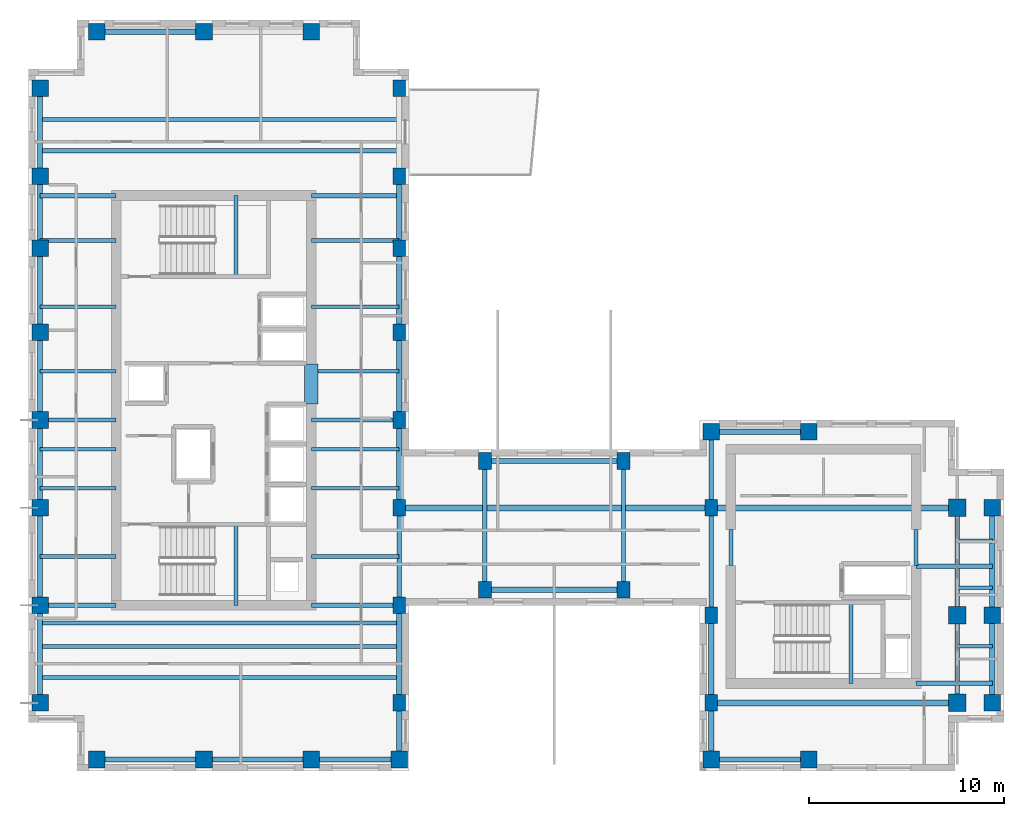
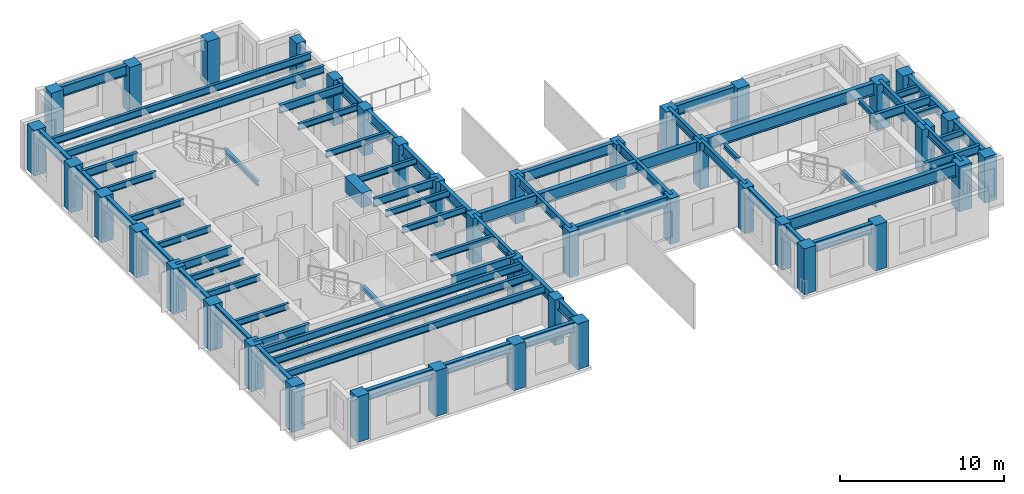
# One storey, part 1 of 10: 69 beams, 40 columns.
"""IFC4 building model written with IfcOpenShell, lengths in metres."""

from ifc_helpers import new_model, si_unit, direction, frame, origin, origin_2d, place, context, subcontext, project, spatial, rectangle, i_section, extrude, source, transform, mapped, material, material_profile, profile_set, type_object, element, save


model = new_model("IFC4")

# Units and contexts
model_context = context("Model", 3, precision=1e-05, world=origin(), true_north=direction((0.0, 1.0)))
body_context = subcontext(model_context, "Body", "Model", "MODEL_VIEW")
ifc_project = project(units=[si_unit("LENGTHUNIT", "METRE"), si_unit("AREAUNIT", "SQUARE_METRE"), si_unit("VOLUMEUNIT", "CUBIC_METRE"), si_unit("PLANEANGLEUNIT", "RADIAN"), si_unit("MASSUNIT", "GRAM", prefix="KILO")], contexts=[model_context])

# Site, building, storey
site_placement = place(None, origin())
site = spatial("IfcSite", under=ifc_project, at=site_placement, CompositionType="ELEMENT")
building_placement = place(site_placement, origin())
building = spatial("IfcBuilding", under=site, at=building_placement, Name="Kharzan Plaza Tower", CompositionType="ELEMENT")
storey_placement = place(building_placement, frame((0.0, 0.0, 237.60009765625)))
storey = spatial("IfcBuildingStorey", under=building, at=storey_placement, Name="L64", CompositionType="ELEMENT", Elevation=237.60009765625)

# Columns
ifc_material_1 = material(Name="Concrete C50/60", Category="concrete")
ifc_material_profile_1 = material_profile(ifc_material_1, rectangle(XDim=0.89990234375, YDim=0.89990234375, at=origin_2d()), Name="RC-IC900x900")
ifc_profile_set_1 = profile_set([ifc_material_profile_1], Name="Concrete C50/60")
column_type_1 = type_object("IfcColumnType", Name="COL-IC900", PredefinedType="COLUMN", material=ifc_profile_set_1)
shared_shape_1 = source(origin(), body_context, "Body", "SweptSolid", [
    extrude(rectangle(XDim=0.89990234375, YDim=0.89990234375, at=origin_2d()), origin(), (0.0, 0.0, 1.0), 3.39990234375),
])
for number, where, z_axis, x_axis, name in (
    (1, (47.60009765625, 13.5, 0.0), (0.0, 0.0, 1.0), (1.0, 0.0, 0.0), "L64 Structural Column TCBI-135"),
    (2, (47.60009765625, 3.5, 0.0), (0.0, 0.0, 1.0), (1.0, 0.0, 0.0), "L64 Structural Column TCBI-35"),
    (3, (47.60009765625, 8.0, 0.0), (0.0, 0.0, 1.0), (1.0, 0.0, 0.0), "L64 Structural Column TCBI-80"),
):
    element("IfcColumn", number, at=place(storey_placement, frame(where, z_axis=z_axis, x_axis=x_axis)), inside=storey, type_object=column_type_1, Name=name, PredefinedType="COLUMN", context=body_context, shape_type="MappedRepresentation", body=[
        mapped(shared_shape_1, transform((0.0, 0.0, 0.0), x_axis=(1.0, 0.0, 0.0), y_axis=(0.0, 1.0, 0.0), z_axis=(0.0, 0.0, 1.0))),
    ])
ifc_material_profile_2 = material_profile(ifc_material_1, rectangle(XDim=0.64990234375, YDim=0.85009765625, at=origin_2d()), Name="RC-SC850x650")
ifc_profile_set_2 = profile_set([ifc_material_profile_2], Name="Concrete C50/60")
column_type_2 = type_object("IfcColumnType", Name="COL-SC850", PredefinedType="COLUMN", material=ifc_profile_set_2)
shared_shape_2 = source(origin(), body_context, "Body", "SweptSolid", [
    extrude(rectangle(XDim=0.64990234375, YDim=0.85009765625, at=origin_2d()), origin(), (0.0, 0.0, 1.0), 3.39990234375),
])
for number, where, z_axis, x_axis, name in (
    (4, (19.0, 13.5, 0.0), (0.0, 0.0, 1.0), (1.0, 0.0, 0.0), "L64 Structural Column TCA-135"),
    (5, (19.0, 18.0, 0.0), (0.0, 0.0, 1.0), (1.0, 0.0, 0.0), "L64 Structural Column TCA-180"),
    (6, (19.0, 22.5, 0.0), (0.0, 0.0, 1.0), (1.0, 0.0, 0.0), "L64 Structural Column TCA-225"),
    (7, (19.0, 26.800048828125, 0.0), (0.0, 0.0, 1.0), (1.0, 0.0, 0.0), "L64 Structural Column TCA-268"),
    (8, (19.0, 30.5, 0.0), (0.0, 0.0, 1.0), (1.0, 0.0, 0.0), "L64 Structural Column TCA-305"),
    (9, (19.0, 3.5, 0.0), (0.0, 0.0, 1.0), (1.0, 0.0, 0.0), "L64 Structural Column TCA-35"),
    (10, (19.0, 35.0, 0.0), (0.0, 0.0, 1.0), (1.0, 0.0, 0.0), "L64 Structural Column TCA-350"),
    (11, (19.0, 8.5, 0.0), (0.0, 0.0, 1.0), (1.0, 0.0, 0.0), "L64 Structural Column TCA-85"),
    (12, (35.0, 13.5, 0.0), (0.0, 0.0, 1.0), (1.0, 0.0, 0.0), "L64 Structural Column TCBS-135"),
    (13, (35.0, 3.5, 0.0), (0.0, 0.0, 1.0), (1.0, 0.0, 0.0), "L64 Structural Column TCBS-35"),
    (14, (35.0, 8.0, 0.0), (0.0, 0.0, 1.0), (1.0, 0.0, 0.0), "L64 Structural Column TCBS-80"),
    (15, (23.39990234375, 15.89990234375, 0.0), (0.0, 0.0, 1.0), (1.0, 0.0, 0.0), "L64 Structural Column TCSP-234-159"),
    (16, (23.39990234375, 9.300048828125, 0.0), (0.0, 0.0, 1.0), (1.0, 0.0, 0.0), "L64 Structural Column TCSP-234-93"),
    (17, (30.5, 15.89990234375, 0.0), (0.0, 0.0, 1.0), (1.0, 0.0, 0.0), "L64 Structural Column TCSP-305-159"),
    (18, (30.5, 9.300048828125, 0.0), (0.0, 0.0, 1.0), (1.0, 0.0, 0.0), "L64 Structural Column TCSP-305-93"),
):
    element("IfcColumn", number, at=place(storey_placement, frame(where, z_axis=z_axis, x_axis=x_axis)), inside=storey, type_object=column_type_2, Name=name, PredefinedType="COLUMN", context=body_context, shape_type="MappedRepresentation", body=[
        mapped(shared_shape_2, transform((0.0, 0.0, 0.0), x_axis=(1.0, 0.0, 0.0), y_axis=(0.0, 1.0, 0.0), z_axis=(0.0, 0.0, 1.0))),
    ])
ifc_material_profile_3 = material_profile(ifc_material_1, rectangle(XDim=0.85009765625, YDim=0.85009765625, at=origin_2d()), Name="RC-TC850x850")
ifc_profile_set_3 = profile_set([ifc_material_profile_3], Name="Concrete C50/60")
column_type_3 = type_object("IfcColumnType", Name="COL-TC850", PredefinedType="COLUMN", material=ifc_profile_set_3)
shared_shape_3 = source(origin(), body_context, "Body", "SweptSolid", [
    extrude(rectangle(XDim=0.85009765625, YDim=0.85009765625, at=origin_2d()), origin(), (0.0, 0.0, 1.0), 3.39990234375),
])
for number, where, z_axis, x_axis, name in (
    (19, (35.0, 17.39990234375, 0.0), (0.0, 0.0, 1.0), (1.0, 0.0, 0.0), "L64 Structural Column TCBN-350-174"),
    (20, (40.0, 17.39990234375, 0.0), (0.0, 0.0, 1.0), (1.0, 0.0, 0.0), "L64 Structural Column TCBN-400-174"),
    (21, (49.39990234375, 13.5, 0.0), (0.0, 0.0, 1.0), (1.0, 0.0, 0.0), "L64 Structural Column TCE-494-135"),
    (22, (49.39990234375, 3.5, 0.0), (0.0, 0.0, 1.0), (1.0, 0.0, 0.0), "L64 Structural Column TCE-494-35"),
    (23, (49.39990234375, 8.0, 0.0), (0.0, 0.0, 1.0), (1.0, 0.0, 0.0), "L64 Structural Column TCE-494-80"),
    (24, (14.5, 37.89990234375, 0.0), (0.0, 0.0, 1.0), (1.0, 0.0, 0.0), "L64 Structural Column TCN-145-379"),
    (25, (3.5, 37.89990234375, 0.0), (0.0, 0.0, 1.0), (1.0, 0.0, 0.0), "L64 Structural Column TCN-35-379"),
    (26, (9.0, 37.89990234375, 0.0), (0.0, 0.0, 1.0), (1.0, 0.0, 0.0), "L64 Structural Column TCN-90-379"),
    (27, (14.5, 0.60009765625, 0.0), (0.0, 0.0, 1.0), (1.0, 0.0, 0.0), "L64 Structural Column TCS-145"),
    (28, (19.0, 0.60009765625, 0.0), (0.0, 0.0, 1.0), (1.0, 0.0, 0.0), "L64 Structural Column TCS-190"),
    (29, (3.5, 0.60009765625, 0.0), (0.0, 0.0, 1.0), (1.0, 0.0, 0.0), "L64 Structural Column TCS-35"),
    (30, (35.0, 0.60009765625, 0.0), (0.0, 0.0, 1.0), (1.0, 0.0, 0.0), "L64 Structural Column TCS-350"),
    (31, (40.0, 0.60009765625, 0.0), (0.0, 0.0, 1.0), (1.0, 0.0, 0.0), "L64 Structural Column TCS-400"),
    (32, (9.0, 0.60009765625, 0.0), (0.0, 0.0, 1.0), (1.0, 0.0, 0.0), "L64 Structural Column TCS-90"),
    (33, (0.60009765625, 13.5, 0.0), (0.0, 0.0, 1.0), (1.0, 0.0, 0.0), "L64 Structural Column TCW-135"),
    (34, (0.60009765625, 18.0, 0.0), (0.0, 0.0, 1.0), (1.0, 0.0, 0.0), "L64 Structural Column TCW-180"),
    (35, (0.60009765625, 22.5, 0.0), (0.0, 0.0, 1.0), (1.0, 0.0, 0.0), "L64 Structural Column TCW-225"),
    (36, (0.60009765625, 26.800048828125, 0.0), (0.0, 0.0, 1.0), (1.0, 0.0, 0.0), "L64 Structural Column TCW-268"),
    (37, (0.60009765625, 30.5, 0.0), (0.0, 0.0, 1.0), (1.0, 0.0, 0.0), "L64 Structural Column TCW-305"),
    (38, (0.60009765625, 3.5, 0.0), (0.0, 0.0, 1.0), (1.0, 0.0, 0.0), "L64 Structural Column TCW-35"),
    (39, (0.60009765625, 35.0, 0.0), (0.0, 0.0, 1.0), (1.0, 0.0, 0.0), "L64 Structural Column TCW-350"),
    (40, (0.60009765625, 8.5, 0.0), (0.0, 0.0, 1.0), (1.0, 0.0, 0.0), "L64 Structural Column TCW-85"),
):
    element("IfcColumn", number, at=place(storey_placement, frame(where, z_axis=z_axis, x_axis=x_axis)), inside=storey, type_object=column_type_3, Name=name, PredefinedType="COLUMN", context=body_context, shape_type="MappedRepresentation", body=[
        mapped(shared_shape_3, transform((0.0, 0.0, 0.0), x_axis=(1.0, 0.0, 0.0), y_axis=(0.0, 1.0, 0.0), z_axis=(0.0, 0.0, 1.0))),
    ])

# Beams
ifc_material_2 = material(Name="Concrete C60/75", Category="concrete")
ifc_material_profile_4 = material_profile(ifc_material_2, rectangle(XDim=0.699951171875, YDim=1.10009765625, at=origin_2d()), Name="RC-CB1100x700")
ifc_profile_set_4 = profile_set([ifc_material_profile_4], Name="Concrete C60/75")
beam_type_1 = type_object("IfcBeamType", Name="BM-RCCB1100", PredefinedType="LINTEL", material=ifc_profile_set_4)
shared_shape_4 = source(origin(), body_context, "Body", "SweptSolid", [
    extrude(rectangle(XDim=0.699951171875, YDim=1.10009765625, at=origin_2d()), origin(), (0.0, 0.0, 1.0), 2.059814453125),
])
beam_1_placement = place(storey_placement, frame((14.5, 18.820068359375, 2.849853515625), z_axis=(0.0, 1.0, 0.0), x_axis=(-1.0, 0.0, 0.0)))
element("IfcBeam", 41, at=beam_1_placement, inside=storey, type_object=beam_type_1, Name="L64 CORE-A RC coupling beam CB1", PredefinedType="LINTEL", context=body_context, shape_type="MappedRepresentation", body=[
    mapped(shared_shape_4, transform((0.0, 0.0, 0.0), x_axis=(1.0, 0.0, 0.0), y_axis=(0.0, 1.0, 0.0), z_axis=(0.0, 0.0, 1.0))),
])
ifc_material_3 = material(Name="Steel S355", Category="steel")
ifc_material_profile_5 = material_profile(ifc_material_3, i_section(OverallWidth=0.205078125, OverallDepth=0.35400390625, WebThickness=0.009521484375, FlangeThickness=0.016845703125, at=origin_2d()), Name="W360x79")
ifc_profile_set_5 = profile_set([ifc_material_profile_5], Name="Steel S355")
beam_type_2 = type_object("IfcBeamType", Name="BM-LNT360", PredefinedType="LINTEL", material=ifc_profile_set_5)
shared_shape_5 = source(origin(), body_context, "Body", "SweptSolid", [
    extrude(i_section(OverallWidth=0.205078125, OverallDepth=0.35400390625, WebThickness=0.009521484375, FlangeThickness=0.016845703125, at=origin_2d()), origin(), (0.0, 0.0, 1.0), 1.849853515625),
])
for number, where, z_axis, x_axis, name in (
    (42, (45.5, 10.550048828125, 3.222900390625), (0.0, 1.0, 0.0), (-1.0, 0.0, 0.0), "L64 CORE-B coupling lintel LN1-WE"),
    (43, (36.0, 10.550048828125, 3.222900390625), (0.0, 1.0, 0.0), (-1.0, 0.0, 0.0), "L64 CORE-B coupling lintel LN1-WW"),
):
    element("IfcBeam", number, at=place(storey_placement, frame(where, z_axis=z_axis, x_axis=x_axis)), inside=storey, type_object=beam_type_2, Name=name, PredefinedType="LINTEL", context=body_context, shape_type="MappedRepresentation", body=[
        mapped(shared_shape_5, transform((0.0, 0.0, 0.0), x_axis=(1.0, 0.0, 0.0), y_axis=(0.0, 1.0, 0.0), z_axis=(0.0, 0.0, 1.0))),
    ])
shared_shape_6 = source(origin(), body_context, "Body", "SweptSolid", [
    extrude(i_section(OverallWidth=0.205078125, OverallDepth=0.35400390625, WebThickness=0.009521484375, FlangeThickness=0.016845703125, at=origin_2d()), origin(), (0.0, 0.0, 1.0), 4.155029296875),
])
for number, where, z_axis, x_axis, name in (
    (44, (10.64990234375, 8.5, 1.4228515625), (0.0, 1.0, 0.0), (-1.0, 0.0, 0.0), "L64 Stair ST-1 Half-Landing Beam"),
    (45, (10.64990234375, 25.344970703125, 1.4228515625), (0.0, 1.0, 0.0), (-1.0, 0.0, 0.0), "L64 Stair ST-2 Half-Landing Beam"),
    (46, (42.14990234375, 4.5, 1.4228515625), (0.0, 1.0, 0.0), (-1.0, 0.0, 0.0), "L64 Stair ST-3 Half-Landing Beam"),
):
    element("IfcBeam", number, at=place(storey_placement, frame(where, z_axis=z_axis, x_axis=x_axis)), inside=storey, type_object=beam_type_2, Name=name, PredefinedType="LINTEL", context=body_context, shape_type="MappedRepresentation", body=[
        mapped(shared_shape_6, transform((0.0, 0.0, 0.0), x_axis=(1.0, 0.0, 0.0), y_axis=(0.0, 1.0, 0.0), z_axis=(0.0, 0.0, 1.0))),
    ])
ifc_material_profile_6 = material_profile(ifc_material_3, i_section(OverallWidth=0.304931640625, OverallDepth=0.9189453125, WebThickness=0.017333984375, FlangeThickness=0.02783203125, at=origin_2d()), Name="W920x253")
ifc_profile_set_6 = profile_set([ifc_material_profile_6], Name="Steel S355")
beam_type_3 = type_object("IfcBeamType", Name="BM-FG920B", PredefinedType="BEAM", material=ifc_profile_set_6)
shared_shape_7 = source(origin(), body_context, "Body", "SweptSolid", [
    extrude(i_section(OverallWidth=0.304931640625, OverallDepth=0.9189453125, WebThickness=0.017333984375, FlangeThickness=0.02783203125, at=origin_2d()), origin(), (0.0, 0.0, 1.0), 12.60009765625),
])
for number, where, z_axis, x_axis, name in (
    (47, (35.0, 3.5, 2.9404296875), (1.0, 0.0, 0.0), (0.0, 1.0, 0.0), "L64 Primary Floor Girder"),
    (48, (35.0, 13.5, 2.9404296875), (1.0, 0.0, 0.0), (0.0, 1.0, 0.0), "L64 Primary Floor Girder"),
):
    element("IfcBeam", number, at=place(storey_placement, frame(where, z_axis=z_axis, x_axis=x_axis)), inside=storey, type_object=beam_type_3, Name=name, PredefinedType="BEAM", context=body_context, shape_type="MappedRepresentation", body=[
        mapped(shared_shape_7, transform((0.0, 0.0, 0.0), x_axis=(1.0, 0.0, 0.0), y_axis=(0.0, 1.0, 0.0), z_axis=(0.0, 0.0, 1.0))),
    ])
shared_shape_8 = source(origin(), body_context, "Body", "SweptSolid", [
    extrude(i_section(OverallWidth=0.304931640625, OverallDepth=0.9189453125, WebThickness=0.017333984375, FlangeThickness=0.02783203125, at=origin_2d()), origin(), (0.0, 0.0, 1.0), 16.0),
])
beam_2_placement = place(storey_placement, frame((19.0, 13.5, 2.9404296875), z_axis=(1.0, 0.0, 0.0), x_axis=(0.0, 1.0, 0.0)))
element("IfcBeam", 49, at=beam_2_placement, inside=storey, type_object=beam_type_3, Name="L64 Primary Floor Girder", PredefinedType="BEAM", context=body_context, shape_type="MappedRepresentation", body=[
    mapped(shared_shape_8, transform((0.0, 0.0, 0.0), x_axis=(1.0, 0.0, 0.0), y_axis=(0.0, 1.0, 0.0), z_axis=(0.0, 0.0, 1.0))),
])
ifc_material_profile_7 = material_profile(ifc_material_3, i_section(OverallWidth=0.2099609375, OverallDepth=0.537109375, WebThickness=0.010986328125, FlangeThickness=0.017333984375, at=origin_2d()), Name="W530x101")
ifc_profile_set_7 = profile_set([ifc_material_profile_7], Name="Steel S355")
beam_type_4 = type_object("IfcBeamType", Name="BM-JST530B", PredefinedType="JOIST", material=ifc_profile_set_7)
shared_shape_9 = source(origin(), body_context, "Body", "SweptSolid", [
    extrude(i_section(OverallWidth=0.2099609375, OverallDepth=0.537109375, WebThickness=0.010986328125, FlangeThickness=0.017333984375, at=origin_2d()), origin(), (0.0, 0.0, 1.0), 18.39990234375),
])
for number, where, z_axis, x_axis, name in (
    (50, (0.60009765625, 4.800048828125, 3.13134765625), (1.0, 0.0, 0.0), (0.0, 1.0, 0.0), "L64 Wing A Composite Joist 01"),
    (51, (0.60009765625, 6.39990234375, 3.13134765625), (1.0, 0.0, 0.0), (0.0, 1.0, 0.0), "L64 Wing A Composite Joist 02"),
    (52, (0.60009765625, 7.60009765625, 3.13134765625), (1.0, 0.0, 0.0), (0.0, 1.0, 0.0), "L64 Wing A Composite Joist 03"),
    (53, (0.60009765625, 31.800048828125, 3.13134765625), (1.0, 0.0, 0.0), (0.0, 1.0, 0.0), "L64 Wing A Composite Joist 04"),
    (54, (0.60009765625, 33.39990234375, 3.13134765625), (1.0, 0.0, 0.0), (0.0, 1.0, 0.0), "L64 Wing A Composite Joist 05"),
):
    element("IfcBeam", number, at=place(storey_placement, frame(where, z_axis=z_axis, x_axis=x_axis)), inside=storey, type_object=beam_type_4, Name=name, PredefinedType="JOIST", context=body_context, shape_type="MappedRepresentation", body=[
        mapped(shared_shape_9, transform((0.0, 0.0, 0.0), x_axis=(1.0, 0.0, 0.0), y_axis=(0.0, 1.0, 0.0), z_axis=(0.0, 0.0, 1.0))),
    ])
ifc_material_profile_8 = material_profile(ifc_material_3, i_section(OverallWidth=0.194091796875, OverallDepth=0.468994140625, WebThickness=0.011474609375, FlangeThickness=0.0205078125, at=origin_2d()), Name="W460x106")
ifc_profile_set_8 = profile_set([ifc_material_profile_8], Name="Steel S355")
beam_type_5 = type_object("IfcBeamType", Name="BM-JST460", PredefinedType="JOIST", material=ifc_profile_set_8)
shared_shape_10 = source(origin(), body_context, "Body", "SweptSolid", [
    extrude(i_section(OverallWidth=0.194091796875, OverallDepth=0.468994140625, WebThickness=0.011474609375, FlangeThickness=0.0205078125, at=origin_2d()), origin(), (0.0, 0.0, 1.0), 4.5),
])
for number, where, z_axis, x_axis, name in (
    (55, (14.5, 11.0, 3.165283203125), (1.0, 0.0, 0.0), (0.0, 1.0, 0.0), "L64 Wing A East Infill Joist 1"),
    (56, (14.5, 14.5, 3.165283203125), (1.0, 0.0, 0.0), (0.0, 1.0, 0.0), "L64 Wing A East Infill Joist 2"),
    (57, (14.5, 16.5, 3.165283203125), (1.0, 0.0, 0.0), (0.0, 1.0, 0.0), "L64 Wing A East Infill Joist 3"),
    (58, (14.5, 20.5, 3.165283203125), (1.0, 0.0, 0.0), (0.0, 1.0, 0.0), "L64 Wing A East Infill Joist 4"),
    (59, (14.5, 23.800048828125, 3.165283203125), (1.0, 0.0, 0.0), (0.0, 1.0, 0.0), "L64 Wing A East Infill Joist 5"),
    (60, (14.5, 27.199951171875, 3.165283203125), (1.0, 0.0, 0.0), (0.0, 1.0, 0.0), "L64 Wing A East Infill Joist 6"),
):
    element("IfcBeam", number, at=place(storey_placement, frame(where, z_axis=z_axis, x_axis=x_axis)), inside=storey, type_object=beam_type_5, Name=name, PredefinedType="JOIST", context=body_context, shape_type="MappedRepresentation", body=[
        mapped(shared_shape_10, transform((0.0, 0.0, 0.0), x_axis=(1.0, 0.0, 0.0), y_axis=(0.0, 1.0, 0.0), z_axis=(0.0, 0.0, 1.0))),
    ])
shared_shape_11 = source(origin(), body_context, "Body", "SweptSolid", [
    extrude(i_section(OverallWidth=0.194091796875, OverallDepth=0.468994140625, WebThickness=0.011474609375, FlangeThickness=0.0205078125, at=origin_2d()), origin(), (0.0, 0.0, 1.0), 3.89990234375),
])
for number, where, z_axis, x_axis, name in (
    (61, (0.60009765625, 11.0, 3.165283203125), (1.0, 0.0, 0.0), (0.0, 1.0, 0.0), "L64 Wing A West Infill Joist 1"),
    (62, (0.60009765625, 14.5, 3.165283203125), (1.0, 0.0, 0.0), (0.0, 1.0, 0.0), "L64 Wing A West Infill Joist 2"),
    (63, (0.60009765625, 16.5, 3.165283203125), (1.0, 0.0, 0.0), (0.0, 1.0, 0.0), "L64 Wing A West Infill Joist 3"),
    (64, (0.60009765625, 20.5, 3.165283203125), (1.0, 0.0, 0.0), (0.0, 1.0, 0.0), "L64 Wing A West Infill Joist 4"),
    (65, (0.60009765625, 23.800048828125, 3.165283203125), (1.0, 0.0, 0.0), (0.0, 1.0, 0.0), "L64 Wing A West Infill Joist 5"),
    (66, (0.60009765625, 27.199951171875, 3.165283203125), (1.0, 0.0, 0.0), (0.0, 1.0, 0.0), "L64 Wing A West Infill Joist 6"),
):
    element("IfcBeam", number, at=place(storey_placement, frame(where, z_axis=z_axis, x_axis=x_axis)), inside=storey, type_object=beam_type_5, Name=name, PredefinedType="JOIST", context=body_context, shape_type="MappedRepresentation", body=[
        mapped(shared_shape_11, transform((0.0, 0.0, 0.0), x_axis=(1.0, 0.0, 0.0), y_axis=(0.0, 1.0, 0.0), z_axis=(0.0, 0.0, 1.0))),
    ])
ifc_material_profile_9 = material_profile(ifc_material_3, i_section(OverallWidth=0.22900390625, OverallDepth=0.612060546875, WebThickness=0.011962890625, FlangeThickness=0.01953125, at=origin_2d()), Name="W610x125")
ifc_profile_set_9 = profile_set([ifc_material_profile_9], Name="Steel S355")
beam_type_6 = type_object("IfcBeamType", Name="BM-FG610B", PredefinedType="BEAM", material=ifc_profile_set_9)
shared_shape_12 = source(origin(), body_context, "Body", "SweptSolid", [
    extrude(i_section(OverallWidth=0.22900390625, OverallDepth=0.612060546875, WebThickness=0.011962890625, FlangeThickness=0.01953125, at=origin_2d()), origin(), (0.0, 0.0, 1.0), 4.5),
])
for number, where, z_axis, x_axis, name in (
    (67, (14.5, 8.5, 3.093994140625), (1.0, 0.0, 0.0), (0.0, 1.0, 0.0), "L64 Core-A East Floor Girder 1"),
    (68, (14.5, 18.0, 3.093994140625), (1.0, 0.0, 0.0), (0.0, 1.0, 0.0), "L64 Core-A East Floor Girder 2"),
    (69, (14.5, 29.5, 3.093994140625), (1.0, 0.0, 0.0), (0.0, 1.0, 0.0), "L64 Core-A East Floor Girder 3"),
    (70, (47.60009765625, 3.5, 3.093994140625), (0.0, 1.0, 0.0), (-1.0, 0.0, 0.0), "L64 Interior Frame Girder"),
):
    element("IfcBeam", number, at=place(storey_placement, frame(where, z_axis=z_axis, x_axis=x_axis)), inside=storey, type_object=beam_type_6, Name=name, PredefinedType="BEAM", context=body_context, shape_type="MappedRepresentation", body=[
        mapped(shared_shape_12, transform((0.0, 0.0, 0.0), x_axis=(1.0, 0.0, 0.0), y_axis=(0.0, 1.0, 0.0), z_axis=(0.0, 0.0, 1.0))),
    ])
shared_shape_13 = source(origin(), body_context, "Body", "SweptSolid", [
    extrude(i_section(OverallWidth=0.22900390625, OverallDepth=0.612060546875, WebThickness=0.011962890625, FlangeThickness=0.01953125, at=origin_2d()), origin(), (0.0, 0.0, 1.0), 3.89990234375),
])
for number, where, z_axis, x_axis, name in (
    (71, (0.60009765625, 8.5, 3.093994140625), (1.0, 0.0, 0.0), (0.0, 1.0, 0.0), "L64 Core-A West Floor Girder 1"),
    (72, (0.60009765625, 18.0, 3.093994140625), (1.0, 0.0, 0.0), (0.0, 1.0, 0.0), "L64 Core-A West Floor Girder 2"),
    (73, (0.60009765625, 29.5, 3.093994140625), (1.0, 0.0, 0.0), (0.0, 1.0, 0.0), "L64 Core-A West Floor Girder 3"),
    (74, (45.5, 4.5, 3.093994140625), (1.0, 0.0, 0.0), (0.0, 1.0, 0.0), "L64 Core-B East Floor Girder 1"),
    (75, (45.5, 10.5, 3.093994140625), (1.0, 0.0, 0.0), (0.0, 1.0, 0.0), "L64 Core-B East Floor Girder 2"),
    (76, (35.0, 13.5, 3.093994140625), (0.0, 1.0, 0.0), (-1.0, 0.0, 0.0), "L64 Interior Frame Girder"),
):
    element("IfcBeam", number, at=place(storey_placement, frame(where, z_axis=z_axis, x_axis=x_axis)), inside=storey, type_object=beam_type_6, Name=name, PredefinedType="BEAM", context=body_context, shape_type="MappedRepresentation", body=[
        mapped(shared_shape_13, transform((0.0, 0.0, 0.0), x_axis=(1.0, 0.0, 0.0), y_axis=(0.0, 1.0, 0.0), z_axis=(0.0, 0.0, 1.0))),
    ])
shared_shape_14 = source(origin(), body_context, "Body", "SweptSolid", [
    extrude(i_section(OverallWidth=0.22900390625, OverallDepth=0.612060546875, WebThickness=0.011962890625, FlangeThickness=0.01953125, at=origin_2d()), origin(), (0.0, 0.0, 1.0), 5.0),
])
beam_3_placement = place(storey_placement, frame((19.0, 8.5, 3.093994140625), z_axis=(0.0, 1.0, 0.0), x_axis=(-1.0, 0.0, 0.0)))
element("IfcBeam", 77, at=beam_3_placement, inside=storey, type_object=beam_type_6, Name="L64 Interior Frame Girder", PredefinedType="BEAM", context=body_context, shape_type="MappedRepresentation", body=[
    mapped(shared_shape_14, transform((0.0, 0.0, 0.0), x_axis=(1.0, 0.0, 0.0), y_axis=(0.0, 1.0, 0.0), z_axis=(0.0, 0.0, 1.0))),
])
shared_shape_15 = source(origin(), body_context, "Body", "SweptSolid", [
    extrude(i_section(OverallWidth=0.22900390625, OverallDepth=0.612060546875, WebThickness=0.011962890625, FlangeThickness=0.01953125, at=origin_2d()), origin(), (0.0, 0.0, 1.0), 6.599853515625),
])
for number, where, z_axis, x_axis, name in (
    (78, (23.39990234375, 9.300048828125, 3.093994140625), (0.0, 1.0, 0.0), (-1.0, 0.0, 0.0), "L64 Interior Frame Girder"),
    (79, (30.5, 9.300048828125, 3.093994140625), (0.0, 1.0, 0.0), (-1.0, 0.0, 0.0), "L64 Interior Frame Girder"),
):
    element("IfcBeam", number, at=place(storey_placement, frame(where, z_axis=z_axis, x_axis=x_axis)), inside=storey, type_object=beam_type_6, Name=name, PredefinedType="BEAM", context=body_context, shape_type="MappedRepresentation", body=[
        mapped(shared_shape_15, transform((0.0, 0.0, 0.0), x_axis=(1.0, 0.0, 0.0), y_axis=(0.0, 1.0, 0.0), z_axis=(0.0, 0.0, 1.0))),
    ])
shared_shape_16 = source(origin(), body_context, "Body", "SweptSolid", [
    extrude(i_section(OverallWidth=0.22900390625, OverallDepth=0.612060546875, WebThickness=0.011962890625, FlangeThickness=0.01953125, at=origin_2d()), origin(), (0.0, 0.0, 1.0), 5.5),
])
for number, where, z_axis, x_axis, name in (
    (80, (35.0, 8.0, 3.093994140625), (0.0, 1.0, 0.0), (-1.0, 0.0, 0.0), "L64 Interior Frame Girder"),
    (81, (47.60009765625, 8.0, 3.093994140625), (0.0, 1.0, 0.0), (-1.0, 0.0, 0.0), "L64 Interior Frame Girder"),
):
    element("IfcBeam", number, at=place(storey_placement, frame(where, z_axis=z_axis, x_axis=x_axis)), inside=storey, type_object=beam_type_6, Name=name, PredefinedType="BEAM", context=body_context, shape_type="MappedRepresentation", body=[
        mapped(shared_shape_16, transform((0.0, 0.0, 0.0), x_axis=(1.0, 0.0, 0.0), y_axis=(0.0, 1.0, 0.0), z_axis=(0.0, 0.0, 1.0))),
    ])
shared_shape_17 = source(origin(), body_context, "Body", "SweptSolid", [
    extrude(i_section(OverallWidth=0.194091796875, OverallDepth=0.468994140625, WebThickness=0.011474609375, FlangeThickness=0.0205078125, at=origin_2d()), origin(), (0.0, 0.0, 1.0), 1.7998046875),
])
for number, where, z_axis, x_axis, name in (
    (82, (47.60009765625, 6.39990234375, 3.165283203125), (1.0, 0.0, 0.0), (0.0, 1.0, 0.0), "L64 Wing B Composite Joist 02"),
    (83, (47.60009765625, 9.39990234375, 3.165283203125), (1.0, 0.0, 0.0), (0.0, 1.0, 0.0), "L64 Wing B Composite Joist 03"),
    (84, (47.60009765625, 11.800048828125, 3.165283203125), (1.0, 0.0, 0.0), (0.0, 1.0, 0.0), "L64 Wing B Composite Joist 04"),
):
    element("IfcBeam", number, at=place(storey_placement, frame(where, z_axis=z_axis, x_axis=x_axis)), inside=storey, type_object=beam_type_5, Name=name, PredefinedType="JOIST", context=body_context, shape_type="MappedRepresentation", body=[
        mapped(shared_shape_17, transform((0.0, 0.0, 0.0), x_axis=(1.0, 0.0, 0.0), y_axis=(0.0, 1.0, 0.0), z_axis=(0.0, 0.0, 1.0))),
    ])
ifc_material_profile_10 = material_profile(ifc_material_3, i_section(OverallWidth=0.26708984375, OverallDepth=0.76611328125, WebThickness=0.014892578125, FlangeThickness=0.023681640625, at=origin_2d()), Name="W760x185")
ifc_profile_set_10 = profile_set([ifc_material_profile_10], Name="Steel S355")
beam_type_7 = type_object("IfcBeamType", Name="BM-SP760B", PredefinedType="SPANDREL", material=ifc_profile_set_10)
shared_shape_18 = source(origin(), body_context, "Body", "SweptSolid", [
    extrude(i_section(OverallWidth=0.26708984375, OverallDepth=0.76611328125, WebThickness=0.014892578125, FlangeThickness=0.023681640625, at=origin_2d()), origin(), (0.0, 0.0, 1.0), 5.0),
])
for number, where, z_axis, x_axis, name in (
    (85, (0.60009765625, 3.5, 3.016845703125), (0.0, 1.0, 0.0), (-1.0, 0.0, 0.0), "L64 Perimeter Tube Spandrel"),
    (86, (0.60009765625, 8.5, 3.016845703125), (0.0, 1.0, 0.0), (-1.0, 0.0, 0.0), "L64 Perimeter Tube Spandrel"),
    (87, (19.0, 3.5, 3.016845703125), (0.0, 1.0, 0.0), (-1.0, 0.0, 0.0), "L64 Perimeter Tube Spandrel"),
    (88, (35.0, 0.60009765625, 3.016845703125), (1.0, 0.0, 0.0), (0.0, 1.0, 0.0), "L64 Perimeter Tube Spandrel"),
    (89, (35.0, 17.39990234375, 3.016845703125), (1.0, 0.0, 0.0), (0.0, 1.0, 0.0), "L64 Perimeter Tube Spandrel"),
):
    element("IfcBeam", number, at=place(storey_placement, frame(where, z_axis=z_axis, x_axis=x_axis)), inside=storey, type_object=beam_type_7, Name=name, PredefinedType="SPANDREL", context=body_context, shape_type="MappedRepresentation", body=[
        mapped(shared_shape_18, transform((0.0, 0.0, 0.0), x_axis=(1.0, 0.0, 0.0), y_axis=(0.0, 1.0, 0.0), z_axis=(0.0, 0.0, 1.0))),
    ])
shared_shape_19 = source(origin(), body_context, "Body", "SweptSolid", [
    extrude(i_section(OverallWidth=0.26708984375, OverallDepth=0.76611328125, WebThickness=0.014892578125, FlangeThickness=0.023681640625, at=origin_2d()), origin(), (0.0, 0.0, 1.0), 4.5),
])
for number, where, z_axis, x_axis, name in (
    (90, (0.60009765625, 13.5, 3.016845703125), (0.0, 1.0, 0.0), (-1.0, 0.0, 0.0), "L64 Perimeter Tube Spandrel"),
    (91, (0.60009765625, 18.0, 3.016845703125), (0.0, 1.0, 0.0), (-1.0, 0.0, 0.0), "L64 Perimeter Tube Spandrel"),
    (92, (0.60009765625, 30.5, 3.016845703125), (0.0, 1.0, 0.0), (-1.0, 0.0, 0.0), "L64 Perimeter Tube Spandrel"),
    (93, (19.0, 13.5, 3.016845703125), (0.0, 1.0, 0.0), (-1.0, 0.0, 0.0), "L64 Perimeter Tube Spandrel"),
    (94, (19.0, 18.0, 3.016845703125), (0.0, 1.0, 0.0), (-1.0, 0.0, 0.0), "L64 Perimeter Tube Spandrel"),
    (95, (35.0, 3.5, 3.016845703125), (0.0, 1.0, 0.0), (-1.0, 0.0, 0.0), "L64 Perimeter Tube Spandrel"),
    (96, (49.39990234375, 3.5, 3.016845703125), (0.0, 1.0, 0.0), (-1.0, 0.0, 0.0), "L64 Perimeter Tube Spandrel"),
    (97, (14.5, 0.60009765625, 3.016845703125), (1.0, 0.0, 0.0), (0.0, 1.0, 0.0), "L64 Perimeter Tube Spandrel"),
):
    element("IfcBeam", number, at=place(storey_placement, frame(where, z_axis=z_axis, x_axis=x_axis)), inside=storey, type_object=beam_type_7, Name=name, PredefinedType="SPANDREL", context=body_context, shape_type="MappedRepresentation", body=[
        mapped(shared_shape_19, transform((0.0, 0.0, 0.0), x_axis=(1.0, 0.0, 0.0), y_axis=(0.0, 1.0, 0.0), z_axis=(0.0, 0.0, 1.0))),
    ])
shared_shape_20 = source(origin(), body_context, "Body", "SweptSolid", [
    extrude(i_section(OverallWidth=0.26708984375, OverallDepth=0.76611328125, WebThickness=0.014892578125, FlangeThickness=0.023681640625, at=origin_2d()), origin(), (0.0, 0.0, 1.0), 4.300048828125),
])
for number, where, z_axis, x_axis, name in (
    (98, (0.60009765625, 22.5, 3.016845703125), (0.0, 1.0, 0.0), (-1.0, 0.0, 0.0), "L64 Perimeter Tube Spandrel"),
    (99, (19.0, 22.5, 3.016845703125), (0.0, 1.0, 0.0), (-1.0, 0.0, 0.0), "L64 Perimeter Tube Spandrel"),
):
    element("IfcBeam", number, at=place(storey_placement, frame(where, z_axis=z_axis, x_axis=x_axis)), inside=storey, type_object=beam_type_7, Name=name, PredefinedType="SPANDREL", context=body_context, shape_type="MappedRepresentation", body=[
        mapped(shared_shape_20, transform((0.0, 0.0, 0.0), x_axis=(1.0, 0.0, 0.0), y_axis=(0.0, 1.0, 0.0), z_axis=(0.0, 0.0, 1.0))),
    ])
shared_shape_21 = source(origin(), body_context, "Body", "SweptSolid", [
    extrude(i_section(OverallWidth=0.26708984375, OverallDepth=0.76611328125, WebThickness=0.014892578125, FlangeThickness=0.023681640625, at=origin_2d()), origin(), (0.0, 0.0, 1.0), 3.699951171875),
])
for number, where, z_axis, x_axis, name in (
    (100, (0.60009765625, 26.800048828125, 3.016845703125), (0.0, 1.0, 0.0), (-1.0, 0.0, 0.0), "L64 Perimeter Tube Spandrel"),
    (101, (19.0, 26.800048828125, 3.016845703125), (0.0, 1.0, 0.0), (-1.0, 0.0, 0.0), "L64 Perimeter Tube Spandrel"),
):
    element("IfcBeam", number, at=place(storey_placement, frame(where, z_axis=z_axis, x_axis=x_axis)), inside=storey, type_object=beam_type_7, Name=name, PredefinedType="SPANDREL", context=body_context, shape_type="MappedRepresentation", body=[
        mapped(shared_shape_21, transform((0.0, 0.0, 0.0), x_axis=(1.0, 0.0, 0.0), y_axis=(0.0, 1.0, 0.0), z_axis=(0.0, 0.0, 1.0))),
    ])
shared_shape_22 = source(origin(), body_context, "Body", "SweptSolid", [
    extrude(i_section(OverallWidth=0.26708984375, OverallDepth=0.76611328125, WebThickness=0.014892578125, FlangeThickness=0.023681640625, at=origin_2d()), origin(), (0.0, 0.0, 1.0), 2.89990234375),
])
for number, where, z_axis, x_axis, name in (
    (102, (19.0, 0.60009765625, 3.016845703125), (0.0, 1.0, 0.0), (-1.0, 0.0, 0.0), "L64 Perimeter Tube Spandrel"),
    (103, (35.0, 0.60009765625, 3.016845703125), (0.0, 1.0, 0.0), (-1.0, 0.0, 0.0), "L64 Perimeter Tube Spandrel"),
):
    element("IfcBeam", number, at=place(storey_placement, frame(where, z_axis=z_axis, x_axis=x_axis)), inside=storey, type_object=beam_type_7, Name=name, PredefinedType="SPANDREL", context=body_context, shape_type="MappedRepresentation", body=[
        mapped(shared_shape_22, transform((0.0, 0.0, 0.0), x_axis=(1.0, 0.0, 0.0), y_axis=(0.0, 1.0, 0.0), z_axis=(0.0, 0.0, 1.0))),
    ])
shared_shape_23 = source(origin(), body_context, "Body", "SweptSolid", [
    extrude(i_section(OverallWidth=0.26708984375, OverallDepth=0.76611328125, WebThickness=0.014892578125, FlangeThickness=0.023681640625, at=origin_2d()), origin(), (0.0, 0.0, 1.0), 5.5),
])
for number, where, z_axis, x_axis, name in (
    (104, (49.39990234375, 8.0, 3.016845703125), (0.0, 1.0, 0.0), (-1.0, 0.0, 0.0), "L64 Perimeter Tube Spandrel"),
    (105, (3.5, 0.60009765625, 3.016845703125), (1.0, 0.0, 0.0), (0.0, 1.0, 0.0), "L64 Perimeter Tube Spandrel"),
    (106, (9.0, 0.60009765625, 3.016845703125), (1.0, 0.0, 0.0), (0.0, 1.0, 0.0), "L64 Perimeter Tube Spandrel"),
    (107, (3.5, 37.89990234375, 3.016845703125), (1.0, 0.0, 0.0), (0.0, 1.0, 0.0), "L64 Perimeter Tube Spandrel"),
):
    element("IfcBeam", number, at=place(storey_placement, frame(where, z_axis=z_axis, x_axis=x_axis)), inside=storey, type_object=beam_type_7, Name=name, PredefinedType="SPANDREL", context=body_context, shape_type="MappedRepresentation", body=[
        mapped(shared_shape_23, transform((0.0, 0.0, 0.0), x_axis=(1.0, 0.0, 0.0), y_axis=(0.0, 1.0, 0.0), z_axis=(0.0, 0.0, 1.0))),
    ])
shared_shape_24 = source(origin(), body_context, "Body", "SweptSolid", [
    extrude(i_section(OverallWidth=0.26708984375, OverallDepth=0.76611328125, WebThickness=0.014892578125, FlangeThickness=0.023681640625, at=origin_2d()), origin(), (0.0, 0.0, 1.0), 7.10009765625),
])
for number, where, z_axis, x_axis, name in (
    (108, (23.39990234375, 9.300048828125, 3.016845703125), (1.0, 0.0, 0.0), (0.0, 1.0, 0.0), "L64 Perimeter Tube Spandrel"),
    (109, (23.39990234375, 15.89990234375, 3.016845703125), (1.0, 0.0, 0.0), (0.0, 1.0, 0.0), "L64 Perimeter Tube Spandrel"),
):
    element("IfcBeam", number, at=place(storey_placement, frame(where, z_axis=z_axis, x_axis=x_axis)), inside=storey, type_object=beam_type_7, Name=name, PredefinedType="SPANDREL", context=body_context, shape_type="MappedRepresentation", body=[
        mapped(shared_shape_24, transform((0.0, 0.0, 0.0), x_axis=(1.0, 0.0, 0.0), y_axis=(0.0, 1.0, 0.0), z_axis=(0.0, 0.0, 1.0))),
    ])

save(model, "model.ifc")
